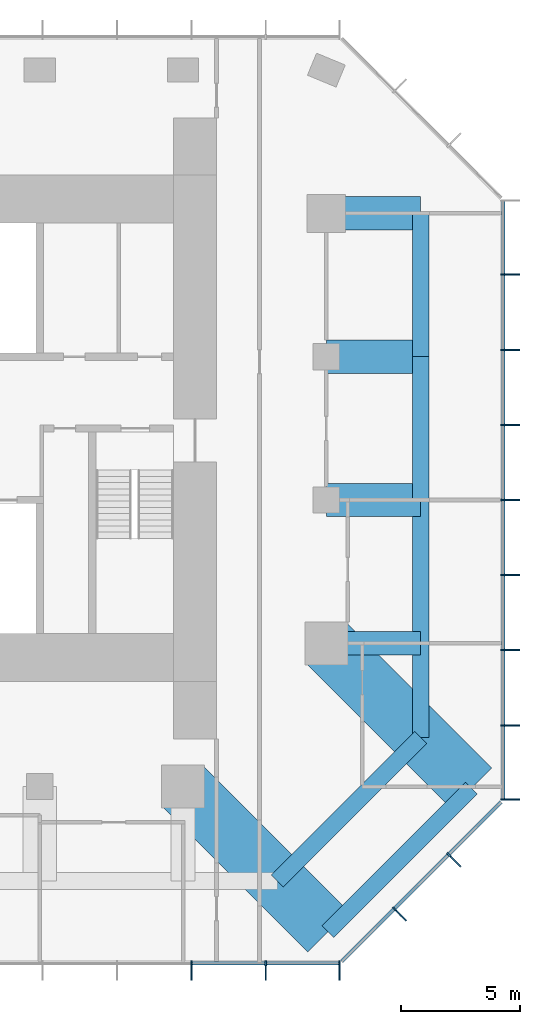
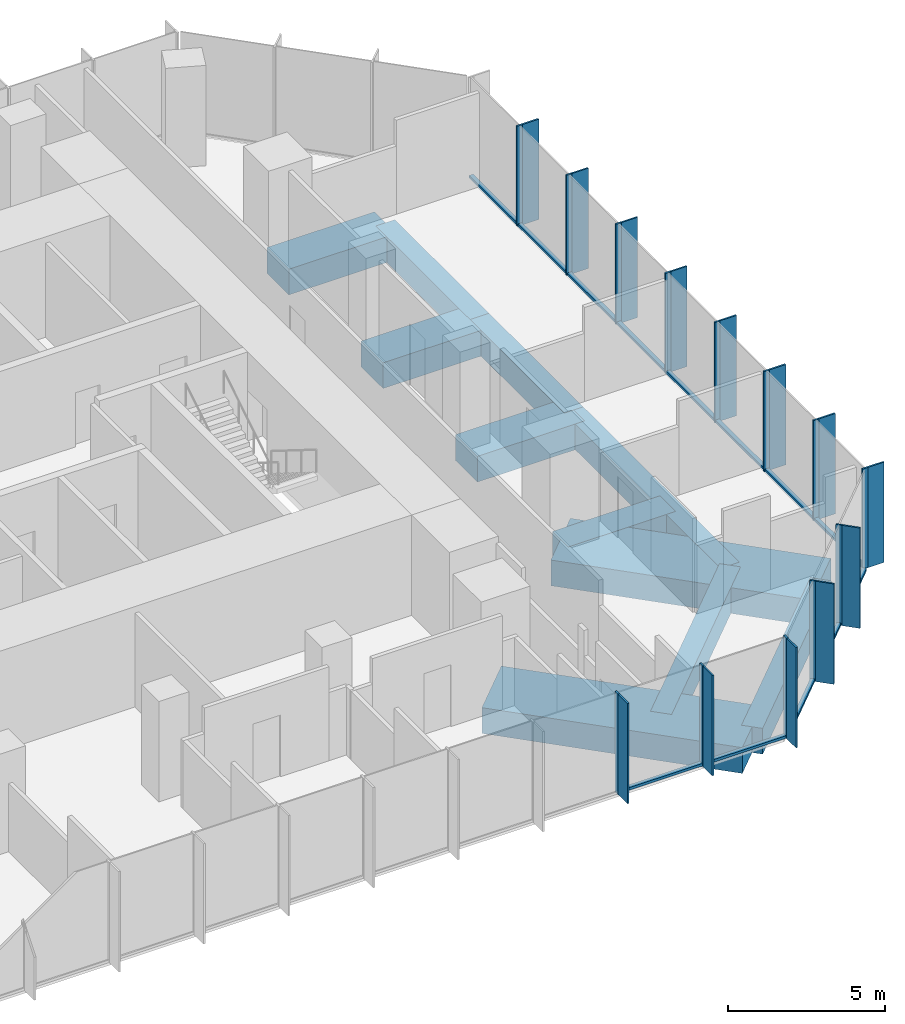
# One storey, part 4 of 11: 39 members, 11 beams, 3 elements without a shape of their own.
"""IFC4 building model written with IfcOpenShell, lengths in metres."""

from ifc_helpers import new_model, si_unit, direction, frame, origin, origin_2d, place, context, subcontext, project, spatial, rectangle, extrude, material, layer, layer_set, material_profile, profile_set, type_object, element, aggregate, save


model = new_model("IFC4")

# Units and contexts
model_context = context("Model", 3, precision=1e-05, world=origin(), true_north=direction((0.0, 1.0)))
body_context = subcontext(model_context, "Body", "Model", "MODEL_VIEW")
ifc_project = project(units=[si_unit("LENGTHUNIT", "METRE"), si_unit("AREAUNIT", "SQUARE_METRE"), si_unit("VOLUMEUNIT", "CUBIC_METRE"), si_unit("PLANEANGLEUNIT", "RADIAN"), si_unit("MASSUNIT", "GRAM", prefix="KILO")], contexts=[model_context])

# Site, building, storey
site_placement = place(None, origin())
site = spatial("IfcSite", under=ifc_project, at=site_placement, CompositionType="ELEMENT")
building_placement = place(site_placement, origin())
building = spatial("IfcBuilding", under=site, at=building_placement, Name="Highveld Stack Headquarters", CompositionType="ELEMENT")
storey_placement = place(building_placement, frame((0.0, 0.0, 272.300048828125)))
storey = spatial("IfcBuildingStorey", under=building, at=storey_placement, Name="L67", CompositionType="ELEMENT", Elevation=272.300048828125)

# Beams
ifc_material_1 = material(Name="Concrete C60/75", Category="concrete")
ifc_material_profile_1 = material_profile(ifc_material_1, rectangle(XDim=1.0, YDim=1.0, at=origin_2d()), Name="RC 1000x1000")
ifc_profile_set_1 = profile_set([ifc_material_profile_1], Name="Concrete C60/75")
beam_type_1 = type_object("IfcBeamType", Name="CANTILEVER RIB RC 1000x1000", PredefinedType="USERDEFINED", material=ifc_profile_set_1)
beam_1_placement = place(storey_placement, frame((24.0, -6.0, -0.75), z_axis=(1.0, 0.0, 0.0), x_axis=(0.0, 1.0, 0.0)))
element("IfcBeam", 1, at=beam_1_placement, inside=storey, type_object=beam_type_1, Name="Cantilever rib 10/D L67", ObjectType="CANTILEVER RIB", PredefinedType="USERDEFINED", context=body_context, shape_type="SweptSolid", body=[
    extrude(rectangle(XDim=1.0, YDim=1.0, at=origin_2d()), origin(), (0.0, 0.0, 1.0), 3.949951171875),
])
ifc_material_2 = material(Name="Concrete C60/75", Category="concrete")
ifc_material_profile_2 = material_profile(ifc_material_2, rectangle(XDim=1.39990234375, YDim=1.0, at=origin_2d()), Name="RC 1400x1000")
ifc_profile_set_2 = profile_set([ifc_material_profile_2], Name="Concrete C60/75")
beam_type_2 = type_object("IfcBeamType", Name="CANTILEVER RIB RC 1400x1000", PredefinedType="USERDEFINED", material=ifc_profile_set_2)
for number, where, z_axis, x_axis, name in (
    (2, (24.0, 0.0, -0.75), (1.0, 0.0, 0.0), (0.0, 1.0, 0.0), "Cantilever rib 10/E L67"),
    (3, (24.0, 6.0, -0.75), (1.0, 0.0, 0.0), (0.0, 1.0, 0.0), "Cantilever rib 10/F L67"),
    (4, (24.0, 12.0, -0.75), (1.0, 0.0, 0.0), (0.0, 1.0, 0.0), "Cantilever rib 10/G L67"),
):
    element("IfcBeam", number, at=place(storey_placement, frame(where, z_axis=z_axis, x_axis=x_axis)), inside=storey, type_object=beam_type_2, Name=name, ObjectType="CANTILEVER RIB", PredefinedType="USERDEFINED", context=body_context, shape_type="SweptSolid", body=[
        extrude(rectangle(XDim=1.39990234375, YDim=1.0, at=origin_2d()), origin(), (0.0, 0.0, 1.0), 3.949951171875),
    ])
ifc_material_3 = material(Name="Concrete C60/75", Category="concrete")
ifc_material_profile_3 = material_profile(ifc_material_3, rectangle(XDim=2.39990234375, YDim=1.0, at=origin_2d()), Name="RC 2400x1000")
ifc_profile_set_3 = profile_set([ifc_material_profile_3], Name="Concrete C60/75")
beam_type_3 = type_object("IfcBeamType", Name="CANTILEVER RIB RC 2400x1000", PredefinedType="USERDEFINED", material=ifc_profile_set_3)
for number, where, z_axis, x_axis, name in (
    (5, (18.0, -12.0, -0.75), (0.707106781187, -0.707106781187, 0.0), (0.707106781187, 0.707106781187, 0.0), "Cantilever rib 9/C L67"),
    (6, (24.0, -6.0, -0.75), (0.707106781187, -0.707106781187, 0.0), (0.707106781187, 0.707106781187, 0.0), "Cantilever rib 10/D L67"),
):
    element("IfcBeam", number, at=place(storey_placement, frame(where, z_axis=z_axis, x_axis=x_axis)), inside=storey, type_object=beam_type_3, Name=name, ObjectType="CANTILEVER RIB", PredefinedType="USERDEFINED", context=body_context, shape_type="SweptSolid", body=[
        extrude(rectangle(XDim=2.39990234375, YDim=1.0, at=origin_2d()), origin(), (0.0, 0.0, 1.0), 8.585693359375),
    ])

# Curtain wall, members
ifc_material_4 = material(Name="Aluminium bronze anodised", Category="aluminium")
ifc_layer = layer(ifc_material_4, 0.199951171875)
ifc_layer_set = layer_set([ifc_layer], Name="Aluminium bronze anodised")
curtain_wall_type = type_object("IfcCurtainWallType", Name="CW5 EXECUTIVE UNITISED CURTAIN WALL", PredefinedType="NOTDEFINED", material=ifc_layer_set)
curtain_wall_1_placement = place(storey_placement, origin())
curtain_wall_1 = element("IfcCurtainWall", 7, at=curtain_wall_1_placement, inside=storey, type_object=curtain_wall_type, Name="Curtain wall CW5 L67 S", PredefinedType="NOTDEFINED")
ifc_material_5 = material(Name="Aluminium bronze anodised", Category="aluminium")
ifc_material_profile_4 = material_profile(ifc_material_5, rectangle(XDim=0.60009765625, YDim=0.06005859375, at=origin_2d()), Name="FIN 600x60")
ifc_profile_set_4 = profile_set([ifc_material_profile_4], Name="Aluminium bronze anodised")
member_type_1 = type_object("IfcMemberType", Name="CW5 BRONZE FIN 600x60", PredefinedType="USERDEFINED", material=ifc_profile_set_4)
member_1_placement = place(storey_placement, frame((18.347900390625, -19.800048828125, 0.0), z_axis=(0.0, 0.0, 1.0), x_axis=(0.0, 1.0, 0.0)))
member_1 = element("IfcMember", 8, at=member_1_placement, type_object=member_type_1, Name="CW5 fin L67 9", ObjectType="FIN", PredefinedType="USERDEFINED", context=body_context, shape_type="SweptSolid", body=[
    extrude(rectangle(XDim=0.60009765625, YDim=0.06005859375, at=origin_2d()), origin(), (0.0, 0.0, 1.0), 3.89990234375),
])
member_2_placement = place(storey_placement, frame((21.4638671875, -19.800048828125, 0.0), z_axis=(0.0, 0.0, 1.0), x_axis=(0.0, 1.0, 0.0)))
member_2 = element("IfcMember", 9, at=member_2_placement, type_object=member_type_1, Name="CW5 fin L67 10", ObjectType="FIN", PredefinedType="USERDEFINED", context=body_context, shape_type="SweptSolid", body=[
    extrude(rectangle(XDim=0.60009765625, YDim=0.06005859375, at=origin_2d()), origin(), (0.0, 0.0, 1.0), 3.89990234375),
])
member_3_placement = place(storey_placement, frame((24.54736328125, -19.800048828125, 0.0), z_axis=(0.0, 0.0, 1.0), x_axis=(0.0, 1.0, 0.0)))
member_3 = element("IfcMember", 10, at=member_3_placement, type_object=member_type_1, Name="CW5 fin L67 11", ObjectType="FIN", PredefinedType="USERDEFINED", context=body_context, shape_type="SweptSolid", body=[
    extrude(rectangle(XDim=0.60009765625, YDim=0.06005859375, at=origin_2d()), origin(), (0.0, 0.0, 1.0), 3.89990234375),
])

curtain_wall_2_placement = place(storey_placement, origin())
curtain_wall_2 = element("IfcCurtainWall", 11, at=curtain_wall_2_placement, inside=storey, type_object=curtain_wall_type, Name="Curtain wall CW5 L67 SE", PredefinedType="NOTDEFINED")
member_4_placement = place(storey_placement, frame((27.135986328125, -17.409423828125, 0.0), z_axis=(0.0, 0.0, 1.0), x_axis=(-0.707106781187, 0.707106781187, 0.0)))
member_4 = element("IfcMember", 12, at=member_4_placement, type_object=member_type_1, Name="CW5 fin L67 1", ObjectType="FIN", PredefinedType="USERDEFINED", context=body_context, shape_type="SweptSolid", body=[
    extrude(rectangle(XDim=0.60009765625, YDim=0.06005859375, at=origin_2d()), origin(), (0.0, 0.0, 1.0), 3.89990234375),
])
member_5_placement = place(storey_placement, frame((29.409423828125, -15.135986328125, 0.0), z_axis=(0.0, 0.0, 1.0), x_axis=(-0.707106781187, 0.707106781187, 0.0)))
member_5 = element("IfcMember", 13, at=member_5_placement, type_object=member_type_1, Name="CW5 fin L67 2", ObjectType="FIN", PredefinedType="USERDEFINED", context=body_context, shape_type="SweptSolid", body=[
    extrude(rectangle(XDim=0.60009765625, YDim=0.06005859375, at=origin_2d()), origin(), (0.0, 0.0, 1.0), 3.89990234375),
])

curtain_wall_3_placement = place(storey_placement, origin())
curtain_wall_3 = element("IfcCurtainWall", 14, at=curtain_wall_3_placement, inside=storey, type_object=curtain_wall_type, Name="Curtain wall CW5 L67 E", PredefinedType="NOTDEFINED")
member_6_placement = place(storey_placement, frame((31.800048828125, -12.54736328125, 0.0), z_axis=(0.0, 0.0, 1.0), x_axis=(-1.0, 0.0, 0.0)))
member_6 = element("IfcMember", 15, at=member_6_placement, type_object=member_type_1, Name="CW5 fin L67 1", ObjectType="FIN", PredefinedType="USERDEFINED", context=body_context, shape_type="SweptSolid", body=[
    extrude(rectangle(XDim=0.60009765625, YDim=0.06005859375, at=origin_2d()), origin(), (0.0, 0.0, 1.0), 3.89990234375),
])
member_7_placement = place(storey_placement, frame((31.800048828125, -9.434814453125, 0.0), z_axis=(0.0, 0.0, 1.0), x_axis=(-1.0, 0.0, 0.0)))
member_7 = element("IfcMember", 16, at=member_7_placement, type_object=member_type_1, Name="CW5 fin L67 2", ObjectType="FIN", PredefinedType="USERDEFINED", context=body_context, shape_type="SweptSolid", body=[
    extrude(rectangle(XDim=0.60009765625, YDim=0.06005859375, at=origin_2d()), origin(), (0.0, 0.0, 1.0), 3.89990234375),
])
member_8_placement = place(storey_placement, frame((31.800048828125, -6.2900390625, 0.0), z_axis=(0.0, 0.0, 1.0), x_axis=(-1.0, 0.0, 0.0)))
member_8 = element("IfcMember", 17, at=member_8_placement, type_object=member_type_1, Name="CW5 fin L67 3", ObjectType="FIN", PredefinedType="USERDEFINED", context=body_context, shape_type="SweptSolid", body=[
    extrude(rectangle(XDim=0.60009765625, YDim=0.06005859375, at=origin_2d()), origin(), (0.0, 0.0, 1.0), 3.89990234375),
])
member_9_placement = place(storey_placement, frame((31.800048828125, -3.14501953125, 0.0), z_axis=(0.0, 0.0, 1.0), x_axis=(-1.0, 0.0, 0.0)))
member_9 = element("IfcMember", 18, at=member_9_placement, type_object=member_type_1, Name="CW5 fin L67 4", ObjectType="FIN", PredefinedType="USERDEFINED", context=body_context, shape_type="SweptSolid", body=[
    extrude(rectangle(XDim=0.60009765625, YDim=0.06005859375, at=origin_2d()), origin(), (0.0, 0.0, 1.0), 3.89990234375),
])
member_10_placement = place(storey_placement, frame((31.800048828125, 0.0, 0.0), z_axis=(0.0, 0.0, 1.0), x_axis=(-1.0, 0.0, 0.0)))
member_10 = element("IfcMember", 19, at=member_10_placement, type_object=member_type_1, Name="CW5 fin L67 5", ObjectType="FIN", PredefinedType="USERDEFINED", context=body_context, shape_type="SweptSolid", body=[
    extrude(rectangle(XDim=0.60009765625, YDim=0.06005859375, at=origin_2d()), origin(), (0.0, 0.0, 1.0), 3.89990234375),
])
member_11_placement = place(storey_placement, frame((31.800048828125, 3.14501953125, 0.0), z_axis=(0.0, 0.0, 1.0), x_axis=(-1.0, 0.0, 0.0)))
member_11 = element("IfcMember", 20, at=member_11_placement, type_object=member_type_1, Name="CW5 fin L67 6", ObjectType="FIN", PredefinedType="USERDEFINED", context=body_context, shape_type="SweptSolid", body=[
    extrude(rectangle(XDim=0.60009765625, YDim=0.06005859375, at=origin_2d()), origin(), (0.0, 0.0, 1.0), 3.89990234375),
])
member_12_placement = place(storey_placement, frame((31.800048828125, 6.289794921875, 0.0), z_axis=(0.0, 0.0, 1.0), x_axis=(-1.0, 0.0, 0.0)))
member_12 = element("IfcMember", 21, at=member_12_placement, type_object=member_type_1, Name="CW5 fin L67 7", ObjectType="FIN", PredefinedType="USERDEFINED", context=body_context, shape_type="SweptSolid", body=[
    extrude(rectangle(XDim=0.60009765625, YDim=0.06005859375, at=origin_2d()), origin(), (0.0, 0.0, 1.0), 3.89990234375),
])
member_13_placement = place(storey_placement, frame((31.800048828125, 9.434814453125, 0.0), z_axis=(0.0, 0.0, 1.0), x_axis=(-1.0, 0.0, 0.0)))
member_13 = element("IfcMember", 22, at=member_13_placement, type_object=member_type_1, Name="CW5 fin L67 8", ObjectType="FIN", PredefinedType="USERDEFINED", context=body_context, shape_type="SweptSolid", body=[
    extrude(rectangle(XDim=0.60009765625, YDim=0.06005859375, at=origin_2d()), origin(), (0.0, 0.0, 1.0), 3.89990234375),
])

# Member
ifc_material_6 = material(Name="Aluminium bronze anodised", Category="aluminium")
ifc_material_profile_5 = material_profile(ifc_material_6, rectangle(XDim=0.199951171875, YDim=0.06494140625, at=origin_2d()), Name="CW5 MULLION 65x200")
ifc_profile_set_5 = profile_set([ifc_material_profile_5], Name="Aluminium bronze anodised")
member_type_2 = type_object("IfcMemberType", Name="CW5 MULLION 65x200", PredefinedType="MULLION", material=ifc_profile_set_5)
member_14_placement = place(storey_placement, frame((18.347900390625, -19.39990234375, 0.0), z_axis=(0.0, 0.0, 1.0), x_axis=(0.0, 1.0, 0.0)))
member_14 = element("IfcMember", 23, at=member_14_placement, type_object=member_type_2, Name="CW5 mullion L67 9", PredefinedType="MULLION", context=body_context, shape_type="SweptSolid", body=[
    extrude(rectangle(XDim=0.199951171875, YDim=0.06494140625, at=origin_2d()), origin(), (0.0, 0.0, 1.0), 3.89990234375),
])

member_15_placement = place(storey_placement, frame((21.4638671875, -19.39990234375, 0.0), z_axis=(0.0, 0.0, 1.0), x_axis=(0.0, 1.0, 0.0)))
member_15 = element("IfcMember", 24, at=member_15_placement, type_object=member_type_2, Name="CW5 mullion L67 10", PredefinedType="MULLION", context=body_context, shape_type="SweptSolid", body=[
    extrude(rectangle(XDim=0.199951171875, YDim=0.06494140625, at=origin_2d()), origin(), (0.0, 0.0, 1.0), 3.89990234375),
])

member_16_placement = place(storey_placement, frame((24.54736328125, -19.39990234375, 0.0), z_axis=(0.0, 0.0, 1.0), x_axis=(0.0, 1.0, 0.0)))
member_16 = element("IfcMember", 25, at=member_16_placement, type_object=member_type_2, Name="CW5 mullion L67 11", PredefinedType="MULLION", context=body_context, shape_type="SweptSolid", body=[
    extrude(rectangle(XDim=0.199951171875, YDim=0.06494140625, at=origin_2d()), origin(), (0.0, 0.0, 1.0), 3.89990234375),
])

member_17_placement = place(storey_placement, frame((26.853271484375, -17.126708984375, 0.0), z_axis=(0.0, 0.0, 1.0), x_axis=(-0.707106781187, 0.707106781187, 0.0)))
member_17 = element("IfcMember", 26, at=member_17_placement, type_object=member_type_2, Name="CW5 mullion L67 1", PredefinedType="MULLION", context=body_context, shape_type="SweptSolid", body=[
    extrude(rectangle(XDim=0.199951171875, YDim=0.06494140625, at=origin_2d()), origin(), (0.0, 0.0, 1.0), 3.89990234375),
])

member_18_placement = place(storey_placement, frame((29.126708984375, -14.853271484375, 0.0), z_axis=(0.0, 0.0, 1.0), x_axis=(-0.707106781187, 0.707106781187, 0.0)))
member_18 = element("IfcMember", 27, at=member_18_placement, type_object=member_type_2, Name="CW5 mullion L67 2", PredefinedType="MULLION", context=body_context, shape_type="SweptSolid", body=[
    extrude(rectangle(XDim=0.199951171875, YDim=0.06494140625, at=origin_2d()), origin(), (0.0, 0.0, 1.0), 3.89990234375),
])

member_19_placement = place(storey_placement, frame((31.39990234375, -12.54736328125, 0.0), z_axis=(0.0, 0.0, 1.0), x_axis=(-1.0, 0.0, 0.0)))
member_19 = element("IfcMember", 28, at=member_19_placement, type_object=member_type_2, Name="CW5 mullion L67 1", PredefinedType="MULLION", context=body_context, shape_type="SweptSolid", body=[
    extrude(rectangle(XDim=0.199951171875, YDim=0.06494140625, at=origin_2d()), origin(), (0.0, 0.0, 1.0), 3.89990234375),
])

member_20_placement = place(storey_placement, frame((31.39990234375, -9.434814453125, 0.0), z_axis=(0.0, 0.0, 1.0), x_axis=(-1.0, 0.0, 0.0)))
member_20 = element("IfcMember", 29, at=member_20_placement, type_object=member_type_2, Name="CW5 mullion L67 2", PredefinedType="MULLION", context=body_context, shape_type="SweptSolid", body=[
    extrude(rectangle(XDim=0.199951171875, YDim=0.06494140625, at=origin_2d()), origin(), (0.0, 0.0, 1.0), 3.89990234375),
])

member_21_placement = place(storey_placement, frame((31.39990234375, -6.2900390625, 0.0), z_axis=(0.0, 0.0, 1.0), x_axis=(-1.0, 0.0, 0.0)))
member_21 = element("IfcMember", 30, at=member_21_placement, type_object=member_type_2, Name="CW5 mullion L67 3", PredefinedType="MULLION", context=body_context, shape_type="SweptSolid", body=[
    extrude(rectangle(XDim=0.199951171875, YDim=0.06494140625, at=origin_2d()), origin(), (0.0, 0.0, 1.0), 3.89990234375),
])

member_22_placement = place(storey_placement, frame((31.39990234375, -3.14501953125, 0.0), z_axis=(0.0, 0.0, 1.0), x_axis=(-1.0, 0.0, 0.0)))
member_22 = element("IfcMember", 31, at=member_22_placement, type_object=member_type_2, Name="CW5 mullion L67 4", PredefinedType="MULLION", context=body_context, shape_type="SweptSolid", body=[
    extrude(rectangle(XDim=0.199951171875, YDim=0.06494140625, at=origin_2d()), origin(), (0.0, 0.0, 1.0), 3.89990234375),
])

member_23_placement = place(storey_placement, frame((31.39990234375, 0.0, 0.0), z_axis=(0.0, 0.0, 1.0), x_axis=(-1.0, 0.0, 0.0)))
member_23 = element("IfcMember", 32, at=member_23_placement, type_object=member_type_2, Name="CW5 mullion L67 5", PredefinedType="MULLION", context=body_context, shape_type="SweptSolid", body=[
    extrude(rectangle(XDim=0.199951171875, YDim=0.06494140625, at=origin_2d()), origin(), (0.0, 0.0, 1.0), 3.89990234375),
])

member_24_placement = place(storey_placement, frame((31.39990234375, 3.14501953125, 0.0), z_axis=(0.0, 0.0, 1.0), x_axis=(-1.0, 0.0, 0.0)))
member_24 = element("IfcMember", 33, at=member_24_placement, type_object=member_type_2, Name="CW5 mullion L67 6", PredefinedType="MULLION", context=body_context, shape_type="SweptSolid", body=[
    extrude(rectangle(XDim=0.199951171875, YDim=0.06494140625, at=origin_2d()), origin(), (0.0, 0.0, 1.0), 3.89990234375),
])

member_25_placement = place(storey_placement, frame((31.39990234375, 6.289794921875, 0.0), z_axis=(0.0, 0.0, 1.0), x_axis=(-1.0, 0.0, 0.0)))
member_25 = element("IfcMember", 34, at=member_25_placement, type_object=member_type_2, Name="CW5 mullion L67 7", PredefinedType="MULLION", context=body_context, shape_type="SweptSolid", body=[
    extrude(rectangle(XDim=0.199951171875, YDim=0.06494140625, at=origin_2d()), origin(), (0.0, 0.0, 1.0), 3.89990234375),
])

member_26_placement = place(storey_placement, frame((31.39990234375, 9.434814453125, 0.0), z_axis=(0.0, 0.0, 1.0), x_axis=(-1.0, 0.0, 0.0)))
member_26 = element("IfcMember", 35, at=member_26_placement, type_object=member_type_2, Name="CW5 mullion L67 8", PredefinedType="MULLION", context=body_context, shape_type="SweptSolid", body=[
    extrude(rectangle(XDim=0.199951171875, YDim=0.06494140625, at=origin_2d()), origin(), (0.0, 0.0, 1.0), 3.89990234375),
])

ifc_material_7 = material(Name="Aluminium bronze anodised", Category="aluminium")
ifc_material_profile_6 = material_profile(ifc_material_7, rectangle(XDim=0.14990234375, YDim=0.10009765625, at=origin_2d()), Name="CW5 TRANSOM 150x100")
ifc_profile_set_6 = profile_set([ifc_material_profile_6], Name="Aluminium bronze anodised")
member_type_3 = type_object("IfcMemberType", Name="CW5 STACK TRANSOM 150x100", PredefinedType="USERDEFINED", material=ifc_profile_set_6)
member_27_placement = place(storey_placement, frame((18.38037109375, -19.39990234375, 0.050048828125), z_axis=(1.0, 0.0, 0.0), x_axis=(0.0, 1.0, 0.0)))
member_27 = element("IfcMember", 36, at=member_27_placement, type_object=member_type_3, Name="CW5 transom L67 9.1", ObjectType="TRANSOM", PredefinedType="USERDEFINED", context=body_context, shape_type="SweptSolid", body=[
    extrude(rectangle(XDim=0.14990234375, YDim=0.10009765625, at=origin_2d()), origin(), (0.0, 0.0, 1.0), 3.051025390625),
])

member_28_placement = place(storey_placement, frame((21.496337890625, -19.39990234375, 0.050048828125), z_axis=(1.0, 0.0, 0.0), x_axis=(0.0, 1.0, 0.0)))
member_28 = element("IfcMember", 37, at=member_28_placement, type_object=member_type_3, Name="CW5 transom L67 10.1", ObjectType="TRANSOM", PredefinedType="USERDEFINED", context=body_context, shape_type="SweptSolid", body=[
    extrude(rectangle(XDim=0.14990234375, YDim=0.10009765625, at=origin_2d()), origin(), (0.0, 0.0, 1.0), 3.0185546875),
])

aggregate(curtain_wall_1, [member_14, member_1, member_15, member_2, member_16, member_3, member_27, member_28])

member_29_placement = place(storey_placement, frame((24.650634765625, -19.329345703125, 0.050048828125), z_axis=(0.707106781187, 0.707106781187, 0.0), x_axis=(-0.707106781187, 0.707106781187, 0.0)))
member_29 = element("IfcMember", 38, at=member_29_placement, type_object=member_type_3, Name="CW5 transom L67 1.1", ObjectType="TRANSOM", PredefinedType="USERDEFINED", context=body_context, shape_type="SweptSolid", body=[
    extrude(rectangle(XDim=0.14990234375, YDim=0.10009765625, at=origin_2d()), origin(), (0.0, 0.0, 1.0), 3.08251953125),
])

member_30_placement = place(storey_placement, frame((26.876220703125, -17.103759765625, 0.050048828125), z_axis=(0.707106781187, 0.707106781187, 0.0), x_axis=(-0.707106781187, 0.707106781187, 0.0)))
member_30 = element("IfcMember", 39, at=member_30_placement, type_object=member_type_3, Name="CW5 transom L67 2.1", ObjectType="TRANSOM", PredefinedType="USERDEFINED", context=body_context, shape_type="SweptSolid", body=[
    extrude(rectangle(XDim=0.14990234375, YDim=0.10009765625, at=origin_2d()), origin(), (0.0, 0.0, 1.0), 3.150146484375),
])

member_31_placement = place(storey_placement, frame((29.149658203125, -14.830322265625, 0.050048828125), z_axis=(0.707106781187, 0.707106781187, 0.0), x_axis=(-0.707106781187, 0.707106781187, 0.0)))
member_31 = element("IfcMember", 40, at=member_31_placement, type_object=member_type_3, Name="CW5 transom L67 3.1", ObjectType="TRANSOM", PredefinedType="USERDEFINED", context=body_context, shape_type="SweptSolid", body=[
    extrude(rectangle(XDim=0.14990234375, YDim=0.10009765625, at=origin_2d()), origin(), (0.0, 0.0, 1.0), 3.08251953125),
])

aggregate(curtain_wall_2, [member_17, member_4, member_18, member_5, member_29, member_30, member_31])

member_32_placement = place(storey_placement, frame((31.39990234375, -12.514892578125, 0.050048828125), z_axis=(0.0, 1.0, 0.0), x_axis=(-1.0, 0.0, 0.0)))
member_32 = element("IfcMember", 41, at=member_32_placement, type_object=member_type_3, Name="CW5 transom L67 1.1", ObjectType="TRANSOM", PredefinedType="USERDEFINED", context=body_context, shape_type="SweptSolid", body=[
    extrude(rectangle(XDim=0.14990234375, YDim=0.10009765625, at=origin_2d()), origin(), (0.0, 0.0, 1.0), 3.047607421875),
])

member_33_placement = place(storey_placement, frame((31.39990234375, -9.40234375, 0.050048828125), z_axis=(0.0, 1.0, 0.0), x_axis=(-1.0, 0.0, 0.0)))
member_33 = element("IfcMember", 42, at=member_33_placement, type_object=member_type_3, Name="CW5 transom L67 2.1", ObjectType="TRANSOM", PredefinedType="USERDEFINED", context=body_context, shape_type="SweptSolid", body=[
    extrude(rectangle(XDim=0.14990234375, YDim=0.10009765625, at=origin_2d()), origin(), (0.0, 0.0, 1.0), 3.079833984375),
])

member_34_placement = place(storey_placement, frame((31.39990234375, -6.257568359375, 0.050048828125), z_axis=(0.0, 1.0, 0.0), x_axis=(-1.0, 0.0, 0.0)))
member_34 = element("IfcMember", 43, at=member_34_placement, type_object=member_type_3, Name="CW5 transom L67 3.1", ObjectType="TRANSOM", PredefinedType="USERDEFINED", context=body_context, shape_type="SweptSolid", body=[
    extrude(rectangle(XDim=0.14990234375, YDim=0.10009765625, at=origin_2d()), origin(), (0.0, 0.0, 1.0), 3.080078125),
])

member_35_placement = place(storey_placement, frame((31.39990234375, -3.112548828125, 0.050048828125), z_axis=(0.0, 1.0, 0.0), x_axis=(-1.0, 0.0, 0.0)))
member_35 = element("IfcMember", 44, at=member_35_placement, type_object=member_type_3, Name="CW5 transom L67 4.1", ObjectType="TRANSOM", PredefinedType="USERDEFINED", context=body_context, shape_type="SweptSolid", body=[
    extrude(rectangle(XDim=0.14990234375, YDim=0.10009765625, at=origin_2d()), origin(), (0.0, 0.0, 1.0), 3.080078125),
])

member_36_placement = place(storey_placement, frame((31.39990234375, 0.032470703125, 0.050048828125), z_axis=(0.0, 1.0, 0.0), x_axis=(-1.0, 0.0, 0.0)))
member_36 = element("IfcMember", 45, at=member_36_placement, type_object=member_type_3, Name="CW5 transom L67 5.1", ObjectType="TRANSOM", PredefinedType="USERDEFINED", context=body_context, shape_type="SweptSolid", body=[
    extrude(rectangle(XDim=0.14990234375, YDim=0.10009765625, at=origin_2d()), origin(), (0.0, 0.0, 1.0), 3.080078125),
])

member_37_placement = place(storey_placement, frame((31.39990234375, 3.177490234375, 0.050048828125), z_axis=(0.0, 1.0, 0.0), x_axis=(-1.0, 0.0, 0.0)))
member_37 = element("IfcMember", 46, at=member_37_placement, type_object=member_type_3, Name="CW5 transom L67 6.1", ObjectType="TRANSOM", PredefinedType="USERDEFINED", context=body_context, shape_type="SweptSolid", body=[
    extrude(rectangle(XDim=0.14990234375, YDim=0.10009765625, at=origin_2d()), origin(), (0.0, 0.0, 1.0), 3.080078125),
])

member_38_placement = place(storey_placement, frame((31.39990234375, 6.322509765625, 0.050048828125), z_axis=(0.0, 1.0, 0.0), x_axis=(-1.0, 0.0, 0.0)))
member_38 = element("IfcMember", 47, at=member_38_placement, type_object=member_type_3, Name="CW5 transom L67 7.1", ObjectType="TRANSOM", PredefinedType="USERDEFINED", context=body_context, shape_type="SweptSolid", body=[
    extrude(rectangle(XDim=0.14990234375, YDim=0.10009765625, at=origin_2d()), origin(), (0.0, 0.0, 1.0), 3.079833984375),
])

member_39_placement = place(storey_placement, frame((31.39990234375, 9.46728515625, 0.050048828125), z_axis=(0.0, 1.0, 0.0), x_axis=(-1.0, 0.0, 0.0)))
member_39 = element("IfcMember", 48, at=member_39_placement, type_object=member_type_3, Name="CW5 transom L67 8.1", ObjectType="TRANSOM", PredefinedType="USERDEFINED", context=body_context, shape_type="SweptSolid", body=[
    extrude(rectangle(XDim=0.14990234375, YDim=0.10009765625, at=origin_2d()), origin(), (0.0, 0.0, 1.0), 3.047607421875),
])

aggregate(curtain_wall_3, [member_19, member_6, member_20, member_7, member_21, member_8, member_22, member_9, member_23, member_10, member_24, member_11, member_25, member_12, member_26, member_13, member_32, member_33, member_34, member_35, member_36, member_37, member_38, member_39])

# Beams
ifc_material_8 = material(Name="Concrete C60/75", Category="concrete")
ifc_material_profile_7 = material_profile(ifc_material_8, rectangle(XDim=0.699951171875, YDim=1.0, at=origin_2d()), Name="RC 700x1000")
ifc_profile_set_7 = profile_set([ifc_material_profile_7], Name="Concrete C60/75")
beam_type_4 = type_object("IfcBeamType", Name="RIB TIP BEAM RC 700x1000", PredefinedType="SPANDREL", material=ifc_profile_set_7)
beam_2_placement = place(storey_placement, frame((27.949951171875, -9.949951171875, -0.75), z_axis=(0.0, 1.0, 0.0), x_axis=(-1.0, 0.0, 0.0)))
element("IfcBeam", 49, at=beam_2_placement, inside=storey, type_object=beam_type_4, Name="Rib tip beam 10/D to 10/E L67", PredefinedType="SPANDREL", context=body_context, shape_type="SweptSolid", body=[
    extrude(rectangle(XDim=0.699951171875, YDim=1.0, at=origin_2d()), origin(), (0.0, 0.0, 1.0), 9.949951171875),
])
for number, where, z_axis, x_axis, name in (
    (50, (27.949951171875, 0.0, -0.75), (0.0, 1.0, 0.0), (-1.0, 0.0, 0.0), "Rib tip beam 10/E to 10/F L67"),
    (51, (27.949951171875, 6.0, -0.75), (0.0, 1.0, 0.0), (-1.0, 0.0, 0.0), "Rib tip beam 10/F to 10/G L67"),
):
    element("IfcBeam", number, at=place(storey_placement, frame(where, z_axis=z_axis, x_axis=x_axis)), inside=storey, type_object=beam_type_4, Name=name, PredefinedType="SPANDREL", context=body_context, shape_type="SweptSolid", body=[
        extrude(rectangle(XDim=0.699951171875, YDim=1.0, at=origin_2d()), origin(), (0.0, 0.0, 1.0), 6.0),
    ])
for number, where, z_axis, x_axis, name in (
    (52, (21.949951171875, -15.949951171875, -0.75), (0.707106781187, 0.707106781187, 0.0), (-0.707106781187, 0.707106781187, 0.0), "Rib tip beam 9/C to 10/D chamfer L67"),
    (53, (24.071044921875, -18.071044921875, -0.75), (0.707106781187, 0.707106781187, 0.0), (-0.707106781187, 0.707106781187, 0.0), "Rib tip beam 9/C to 10/D chamfer edge L67"),
):
    element("IfcBeam", number, at=place(storey_placement, frame(where, z_axis=z_axis, x_axis=x_axis)), inside=storey, type_object=beam_type_4, Name=name, PredefinedType="SPANDREL", context=body_context, shape_type="SweptSolid", body=[
        extrude(rectangle(XDim=0.699951171875, YDim=1.0, at=origin_2d()), origin(), (0.0, 0.0, 1.0), 8.4853515625),
    ])

save(model, "model.ifc")
